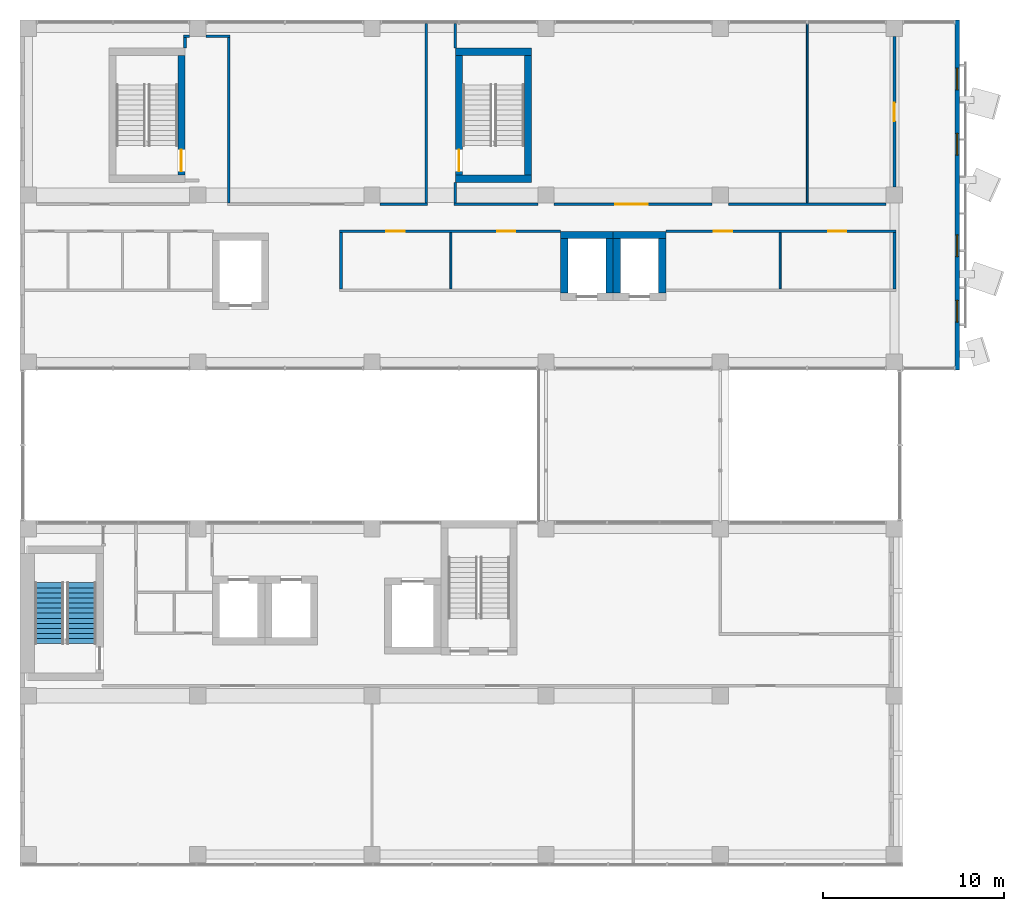
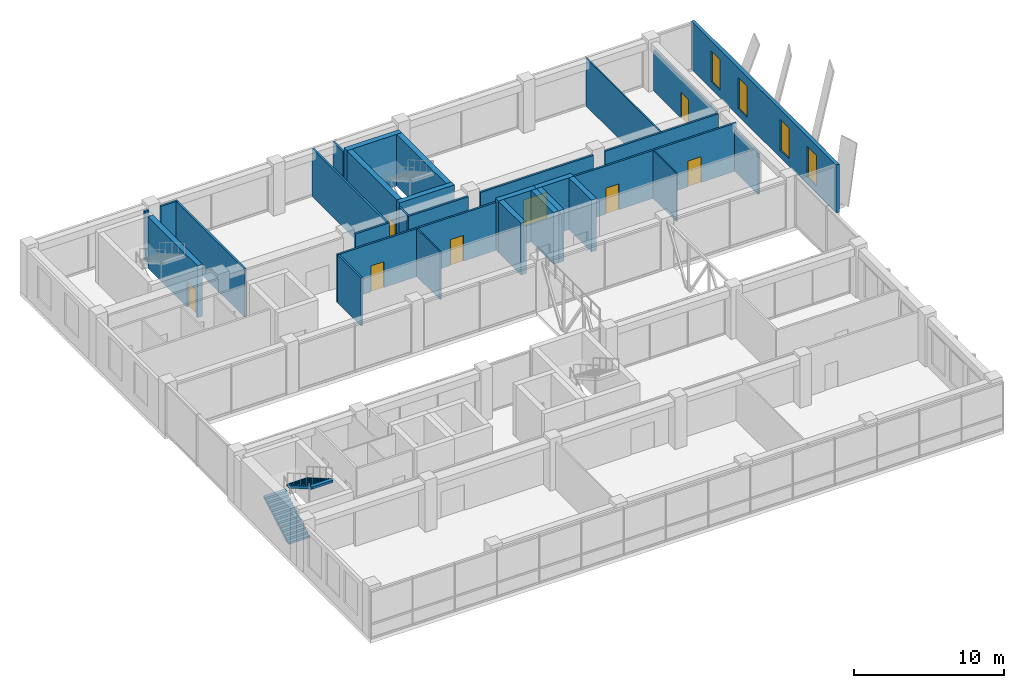
# One storey, part 31 of 38: 31 walls, 8 doors, 4 windows, 2 stair flights, 12 openings, 1 element without a shape of its own.
"""IFC4 building model written with IfcOpenShell, lengths in metres."""

from ifc_helpers import new_model, si_unit, direction, frame, frame_2d, origin, place, context, subcontext, project, spatial, polyline, rectangle, outline, extrude, material, layer, layer_set, layer_usage, type_object, element, fill, aggregate, save


model = new_model("IFC4")

# Units and contexts
model_context = context("Model", 3, precision=1e-05, world=origin(), true_north=direction((0.0, 1.0)))
body_context = subcontext(model_context, "Body", "Model", "MODEL_VIEW")
ifc_project = project(units=[si_unit("LENGTHUNIT", "METRE"), si_unit("AREAUNIT", "SQUARE_METRE"), si_unit("VOLUMEUNIT", "CUBIC_METRE"), si_unit("PLANEANGLEUNIT", "RADIAN"), si_unit("MASSUNIT", "GRAM", prefix="KILO")], contexts=[model_context])

# Site, building, storey
site_placement = place(None, origin())
site = spatial("IfcSite", under=ifc_project, at=site_placement, CompositionType="ELEMENT")
building_placement = place(site_placement, origin())
building = spatial("IfcBuilding", under=site, at=building_placement, Name="Nzadi Deep Aquarium and Research Tower", CompositionType="ELEMENT")
storey_placement = place(building_placement, frame((0.0, 0.0, 65.5)))
storey = spatial("IfcBuildingStorey", under=building, at=storey_placement, Name="L13", CompositionType="ELEMENT", Elevation=65.5)

# Wall, openings, windows
ifc_material_1 = material(Name="Graphite aluminium shingle", Category="aluminium")
ifc_layer_1 = layer(ifc_material_1, 0.050048828125, Category="cladding")
ifc_material_2 = material(Name="Concrete C35/45", Category="concrete")
ifc_layer_2 = layer(ifc_material_2, 0.10009765625, Category="cladding")
ifc_material_3 = material(Name="Mineral wool insulation")
ifc_layer_3 = layer(ifc_material_3, 0.070068359375, Category="insulation")
ifc_material_4 = material(Name="Gypsum board lining")
ifc_layer_4 = layer(ifc_material_4, 0.030029296875, Category="lining")
ifc_layer_set_1 = layer_set([ifc_layer_1, ifc_layer_2, ifc_layer_3, ifc_layer_4], Name="Graphite aluminium shingle, Concrete C35/45, Mineral wool insulation, Gypsum board lining")
ifc_layer_usage = layer_usage(ifc_layer_set_1, "AXIS2", "POSITIVE", -0.125)
wall_type_1 = type_object("IfcWallType", Name="End wall shingle over board-formed concrete 250", PredefinedType="ELEMENTEDWALL", material=ifc_layer_set_1)
wall_1_placement = place(storey_placement, frame((51.47509765625, 27.14990234375, 0.0), z_axis=(0.0, 0.0, 1.0), x_axis=(0.0, 1.0, 0.0)))
wall_1 = element("IfcWall", 1, at=wall_1_placement, inside=storey, type_object=wall_type_1, material=ifc_layer_usage, Name="End wall blade B east L13", PredefinedType="ELEMENTEDWALL", context=body_context, shape_type="SweptSolid", body=[
    extrude(rectangle(XDim=19.300048828125, YDim=0.25, at=frame_2d((9.64990234375, 0.0))), origin(), (0.0, 0.0, 1.0), 3.89990234375),
])
opening_1_placement = place(wall_1_placement, frame((2.64990234375, 0.0, 0.60009765625)))
opening_1 = element("IfcOpeningElement", 2, at=opening_1_placement, cuts=wall_1, Name="Opening WN08", PredefinedType="OPENING", context=body_context, shape_type="SweptSolid", body=[
    extrude(rectangle(XDim=1.199951171875, YDim=2.5, at=frame_2d((0.60009765625, 1.25))), frame((0.0, 0.135009765625, 0.0), z_axis=(0.0, -1.0, 0.0), x_axis=(1.0, 0.0, 0.0)), (0.0, 0.0, 1.0), 0.27001953125),
])
opening_2_placement = place(wall_1_placement, frame((6.25, 0.0, 0.60009765625)))
opening_2 = element("IfcOpeningElement", 3, at=opening_2_placement, cuts=wall_1, Name="Opening WN08", PredefinedType="OPENING", context=body_context, shape_type="SweptSolid", body=[
    extrude(rectangle(XDim=1.199951171875, YDim=2.5, at=frame_2d((0.60009765625, 1.25))), frame((0.0, 0.135009765625, 0.0), z_axis=(0.0, -1.0, 0.0), x_axis=(1.0, 0.0, 0.0)), (0.0, 0.0, 1.0), 0.27001953125),
])
opening_3_placement = place(wall_1_placement, frame((11.85009765625, 0.0, 0.60009765625)))
opening_3 = element("IfcOpeningElement", 4, at=opening_3_placement, cuts=wall_1, Name="Opening WN08", PredefinedType="OPENING", context=body_context, shape_type="SweptSolid", body=[
    extrude(rectangle(XDim=1.199951171875, YDim=2.5, at=frame_2d((0.60009765625, 1.25))), frame((0.0, 0.135009765625, 0.0), z_axis=(0.0, -1.0, 0.0), x_axis=(1.0, 0.0, 0.0)), (0.0, 0.0, 1.0), 0.27001953125),
])
opening_4_placement = place(wall_1_placement, frame((15.449951171875, 0.0, 0.60009765625)))
opening_4 = element("IfcOpeningElement", 5, at=opening_4_placement, cuts=wall_1, Name="Opening WN08", PredefinedType="OPENING", context=body_context, shape_type="SweptSolid", body=[
    extrude(rectangle(XDim=1.199951171875, YDim=2.5, at=frame_2d((0.60009765625, 1.25))), frame((0.0, 0.135009765625, 0.0), z_axis=(0.0, -1.0, 0.0), x_axis=(1.0, 0.0, 0.0)), (0.0, 0.0, 1.0), 0.27001953125),
])
ifc_material_5 = material(Name="Aluminium window, sage tint glazing", Category="aluminium")
window_type = type_object("IfcWindowType", Name="Slot window 1200x2500 sill 600", PartitioningType="SINGLE_PANEL", PredefinedType="WINDOW", material=ifc_material_5)
window_1_placement = place(opening_1_placement, origin())
window_1 = element("IfcWindow", 6, at=window_1_placement, inside=storey, type_object=window_type, Name="Slot window L13 BE", OverallHeight=2.5, OverallWidth=1.199951171875, PartitioningType="SINGLE_PANEL", PredefinedType="WINDOW", context=body_context, shape_type="SweptSolid", body=[
    extrude(rectangle(XDim=1.199951171875, YDim=2.5, at=frame_2d((0.60009765625, 1.25))), frame((0.0, 0.030029296875, 0.0), z_axis=(0.0, -1.0, 0.0), x_axis=(1.0, 0.0, 0.0)), (0.0, 0.0, 1.0), 0.06005859375),
])
fill(opening_1, window_1)
window_2_placement = place(opening_2_placement, origin())
window_2 = element("IfcWindow", 7, at=window_2_placement, inside=storey, type_object=window_type, Name="Slot window L13 BE", OverallHeight=2.5, OverallWidth=1.199951171875, PartitioningType="SINGLE_PANEL", PredefinedType="WINDOW", context=body_context, shape_type="SweptSolid", body=[
    extrude(rectangle(XDim=1.199951171875, YDim=2.5, at=frame_2d((0.60009765625, 1.25))), frame((0.0, 0.030029296875, 0.0), z_axis=(0.0, -1.0, 0.0), x_axis=(1.0, 0.0, 0.0)), (0.0, 0.0, 1.0), 0.06005859375),
])
fill(opening_2, window_2)
window_3_placement = place(opening_3_placement, origin())
window_3 = element("IfcWindow", 8, at=window_3_placement, inside=storey, type_object=window_type, Name="Slot window L13 BE", OverallHeight=2.5, OverallWidth=1.199951171875, PartitioningType="SINGLE_PANEL", PredefinedType="WINDOW", context=body_context, shape_type="SweptSolid", body=[
    extrude(rectangle(XDim=1.199951171875, YDim=2.5, at=frame_2d((0.60009765625, 1.25))), frame((0.0, 0.030029296875, 0.0), z_axis=(0.0, -1.0, 0.0), x_axis=(1.0, 0.0, 0.0)), (0.0, 0.0, 1.0), 0.06005859375),
])
fill(opening_3, window_3)
window_4_placement = place(opening_4_placement, origin())
window_4 = element("IfcWindow", 9, at=window_4_placement, inside=storey, type_object=window_type, Name="Slot window L13 BE", OverallHeight=2.5, OverallWidth=1.199951171875, PartitioningType="SINGLE_PANEL", PredefinedType="WINDOW", context=body_context, shape_type="SweptSolid", body=[
    extrude(rectangle(XDim=1.199951171875, YDim=2.5, at=frame_2d((0.60009765625, 1.25))), frame((0.0, 0.030029296875, 0.0), z_axis=(0.0, -1.0, 0.0), x_axis=(1.0, 0.0, 0.0)), (0.0, 0.0, 1.0), 0.06005859375),
])
fill(opening_4, window_4)

# Walls
ifc_material_6 = material(Name="Blockwork masonry", Category="masonry")
ifc_layer_5 = layer(ifc_material_6, 0.10009765625)
ifc_layer_set_2 = layer_set([ifc_layer_5], Name="Blockwork masonry")
wall_type_2 = type_object("IfcWallType", Name="Partition 100 EI 30", PredefinedType="PARTITIONING", material=ifc_layer_set_2)
for number, where, z_axis, x_axis, name in (
    (10, (23.550048828125, 31.625, 0.0), (0.0, 0.0, 1.0), (0.0, 1.0, 0.0), "W-Z1-L13-P027"),
    (11, (41.699951171875, 31.625, 0.0), (0.0, 0.0, 1.0), (0.0, 1.0, 0.0), "W-Z1-L13-P038"),
):
    element("IfcWall", number, at=place(storey_placement, frame(where, z_axis=z_axis, x_axis=x_axis)), inside=storey, type_object=wall_type_2, Name=name, PredefinedType="PARTITIONING", context=body_context, shape_type="SweptSolid", body=[
        extrude(rectangle(XDim=3.10009765625, YDim=0.10009765625, at=frame_2d((1.550048828125, 0.0))), origin(), (0.0, 0.0, 1.0), 3.89990234375),
    ])
wall_2_placement = place(storey_placement, frame((43.199951171875, 36.375, 0.0), z_axis=(0.0, 0.0, 1.0), x_axis=(0.0, 1.0, 0.0)))
element("IfcWall", 12, at=wall_2_placement, inside=storey, type_object=wall_type_2, Name="W-Z1-L13-P039", PredefinedType="PARTITIONING", context=body_context, shape_type="SweptSolid", body=[
    extrude(rectangle(XDim=9.868896484375, YDim=0.10009765625, at=frame_2d((4.9345703125, 0.0))), origin(), (0.0, 0.0, 1.0), 3.89990234375),
])
ifc_material_7 = material(Name="Blockwork masonry", Category="masonry")
ifc_layer_6 = layer(ifc_material_7, 0.14990234375)
ifc_layer_set_3 = layer_set([ifc_layer_6], Name="Blockwork masonry")
wall_type_3 = type_object("IfcWallType", Name="Partition 150 EI 60", PredefinedType="PARTITIONING", material=ifc_layer_set_3)
wall_3_placement = place(storey_placement, frame((8.89990234375, 44.906005859375, 0.0), z_axis=(0.0, 0.0, 1.0), x_axis=(0.0, 1.0, 0.0)))
element("IfcWall", 13, at=wall_3_placement, inside=storey, type_object=wall_type_3, Name="W-Z1-L13-P013", PredefinedType="PARTITIONING", context=body_context, shape_type="SweptSolid", body=[
    extrude(rectangle(XDim=0.569091796875, YDim=0.14990234375, at=frame_2d((0.28466796875, 0.0))), origin(), (0.0, 0.0, 1.0), 3.89990234375),
])
wall_4_placement = place(storey_placement, frame((8.824951171875, 45.550048828125, 0.0), z_axis=(0.0, 0.0, 1.0), x_axis=(1.0, 0.0, 0.0)))
element("IfcWall", 14, at=wall_4_placement, inside=storey, type_object=wall_type_3, Name="W-Z1-L13-P014", PredefinedType="PARTITIONING", context=body_context, shape_type="SweptSolid", body=[
    extrude(rectangle(XDim=0.324951171875, YDim=0.14990234375, at=frame_2d((0.16259765625, 0.0))), origin(), (0.0, 0.0, 1.0), 3.89990234375),
])
wall_5_placement = place(storey_placement, frame((10.050048828125, 45.550048828125, 0.0), z_axis=(0.0, 0.0, 1.0), x_axis=(1.0, 0.0, 0.0)))
element("IfcWall", 15, at=wall_5_placement, inside=storey, type_object=wall_type_3, Name="W-Z1-L13-P017", PredefinedType="PARTITIONING", context=body_context, shape_type="SweptSolid", body=[
    extrude(rectangle(XDim=1.324951171875, YDim=0.14990234375, at=frame_2d((0.66259765625, 0.0))), origin(), (0.0, 0.0, 1.0), 3.89990234375),
])
wall_6_placement = place(storey_placement, frame((11.300048828125, 36.375, 0.0), z_axis=(0.0, 0.0, 1.0), x_axis=(0.0, 1.0, 0.0)))
element("IfcWall", 16, at=wall_6_placement, inside=storey, type_object=wall_type_3, Name="W-Z1-L13-P020", PredefinedType="PARTITIONING", context=body_context, shape_type="SweptSolid", body=[
    extrude(rectangle(XDim=9.10009765625, YDim=0.14990234375, at=frame_2d((4.550048828125, 0.0))), origin(), (0.0, 0.0, 1.0), 3.89990234375),
])
wall_7_placement = place(storey_placement, frame((17.5, 31.625, 0.0), z_axis=(0.0, 0.0, 1.0), x_axis=(0.0, 1.0, 0.0)))
element("IfcWall", 17, at=wall_7_placement, inside=storey, type_object=wall_type_3, Name="W-Z1-L13-P022", PredefinedType="PARTITIONING", context=body_context, shape_type="SweptSolid", body=[
    extrude(rectangle(XDim=3.10009765625, YDim=0.14990234375, at=frame_2d((1.550048828125, 0.0))), origin(), (0.0, 0.0, 1.0), 3.89990234375),
])

# Wall, openings, doors
wall_8_placement = place(storey_placement, frame((17.425048828125, 34.800048828125, 0.0), z_axis=(0.0, 0.0, 1.0), x_axis=(1.0, 0.0, 0.0)))
wall_8 = element("IfcWall", 18, at=wall_8_placement, inside=storey, type_object=wall_type_3, Name="W-Z1-L13-P023", PredefinedType="PARTITIONING", context=body_context, shape_type="SweptSolid", body=[
    extrude(rectangle(XDim=12.1689453125, YDim=0.14990234375, at=frame_2d((6.08447265625, 0.0))), origin(), (0.0, 0.0, 1.0), 3.89990234375),
])
opening_5_placement = place(wall_8_placement, frame((2.574951171875, 0.0, 0.0)))
opening_5 = element("IfcOpeningElement", 19, at=opening_5_placement, cuts=wall_8, Name="Opening D141014", PredefinedType="OPENING", context=body_context, shape_type="SweptSolid", body=[
    extrude(rectangle(XDim=1.0, YDim=2.10009765625, at=frame_2d((0.5, 1.050048828125))), frame((0.0, 0.0849609375, 0.0), z_axis=(0.0, -1.0, 0.0), x_axis=(1.0, 0.0, 0.0)), (0.0, 0.0, 1.0), 0.169921875),
])
opening_6_placement = place(wall_8_placement, frame((8.675048828125, 0.0, 0.0)))
opening_6 = element("IfcOpeningElement", 20, at=opening_6_placement, cuts=wall_8, Name="Opening D141015", PredefinedType="OPENING", context=body_context, shape_type="SweptSolid", body=[
    extrude(rectangle(XDim=1.0, YDim=2.10009765625, at=frame_2d((0.5, 1.050048828125))), frame((0.0, 0.0849609375, 0.0), z_axis=(0.0, -1.0, 0.0), x_axis=(1.0, 0.0, 0.0)), (0.0, 0.0, 1.0), 0.169921875),
])
ifc_material_8 = material(Name="Fire-rated steel door", Category="steel")
ifc_layer_7 = layer(ifc_material_8, 0.050048828125)
ifc_layer_set_4 = layer_set([ifc_layer_7], Name="Fire-rated steel door")
door_type_1 = type_object("IfcDoorType", Name="Door 1000x2100 EI 60 single", OperationType="SINGLE_SWING_LEFT", PredefinedType="DOOR", material=ifc_layer_set_4)
door_1_placement = place(opening_5_placement, origin())
door_1 = element("IfcDoor", 21, at=door_1_placement, inside=storey, type_object=door_type_1, Name="D141014", OperationType="SINGLE_SWING_LEFT", OverallHeight=2.10009765625, OverallWidth=1.0, PredefinedType="DOOR", context=body_context, shape_type="SweptSolid", body=[
    extrude(rectangle(XDim=1.0, YDim=2.10009765625, at=frame_2d((0.5, 1.050048828125))), frame((0.0, 0.02490234375, 0.0), z_axis=(0.0, -1.0, 0.0), x_axis=(1.0, 0.0, 0.0)), (0.0, 0.0, 1.0), 0.050048828125),
])
fill(opening_5, door_1)
door_2_placement = place(opening_6_placement, origin())
door_2 = element("IfcDoor", 22, at=door_2_placement, inside=storey, type_object=door_type_1, Name="D141015", OperationType="SINGLE_SWING_LEFT", OverallHeight=2.10009765625, OverallWidth=1.0, PredefinedType="DOOR", context=body_context, shape_type="SweptSolid", body=[
    extrude(rectangle(XDim=1.0, YDim=2.10009765625, at=frame_2d((0.5, 1.050048828125))), frame((0.0, 0.02490234375, 0.0), z_axis=(0.0, -1.0, 0.0), x_axis=(1.0, 0.0, 0.0)), (0.0, 0.0, 1.0), 0.050048828125),
])
fill(opening_6, door_2)

# Walls
wall_9_placement = place(storey_placement, frame((19.64990234375, 36.300048828125, 0.0), z_axis=(0.0, 0.0, 1.0), x_axis=(1.0, 0.0, 0.0)))
element("IfcWall", 23, at=wall_9_placement, inside=storey, type_object=wall_type_3, Name="W-Z1-L13-P025", PredefinedType="PARTITIONING", context=body_context, shape_type="SweptSolid", body=[
    extrude(rectangle(XDim=2.625, YDim=0.14990234375, at=frame_2d((1.3125, 0.0))), origin(), (0.0, 0.0, 1.0), 3.89990234375),
])
wall_10_placement = place(storey_placement, frame((22.199951171875, 36.375, 0.0), z_axis=(0.0, 0.0, 1.0), x_axis=(0.0, 1.0, 0.0)))
element("IfcWall", 24, at=wall_10_placement, inside=storey, type_object=wall_type_3, Name="W-Z1-L13-P026", PredefinedType="PARTITIONING", context=body_context, shape_type="SweptSolid", body=[
    extrude(rectangle(XDim=9.868896484375, YDim=0.14990234375, at=frame_2d((4.9345703125, 0.0))), origin(), (0.0, 0.0, 1.0), 3.89990234375),
])
wall_11_placement = place(storey_placement, frame((23.72509765625, 36.300048828125, 0.0), z_axis=(0.0, 0.0, 1.0), x_axis=(1.0, 0.0, 0.0)))
element("IfcWall", 25, at=wall_11_placement, inside=storey, type_object=wall_type_3, Name="W-Z1-L13-P028", PredefinedType="PARTITIONING", context=body_context, shape_type="SweptSolid", body=[
    extrude(rectangle(XDim=4.625, YDim=0.14990234375, at=frame_2d((2.3125, 0.0))), origin(), (0.0, 0.0, 1.0), 3.89990234375),
])
wall_12_placement = place(storey_placement, frame((23.800048828125, 36.375, 0.0), z_axis=(0.0, 0.0, 1.0), x_axis=(0.0, 1.0, 0.0)))
element("IfcWall", 26, at=wall_12_placement, inside=storey, type_object=wall_type_3, Name="W-Z1-L13-P029", PredefinedType="PARTITIONING", context=body_context, shape_type="SweptSolid", body=[
    extrude(rectangle(XDim=1.118896484375, YDim=0.14990234375, at=frame_2d((0.5595703125, 0.0))), origin(), (0.0, 0.0, 1.0), 3.89990234375),
])
wall_13_placement = place(storey_placement, frame((23.800048828125, 44.906005859375, 0.0), z_axis=(0.0, 0.0, 1.0), x_axis=(0.0, 1.0, 0.0)))
element("IfcWall", 27, at=wall_13_placement, inside=storey, type_object=wall_type_3, Name="W-Z1-L13-P030", PredefinedType="PARTITIONING", context=body_context, shape_type="SweptSolid", body=[
    extrude(rectangle(XDim=1.337890625, YDim=0.14990234375, at=frame_2d((0.6689453125, 0.0))), origin(), (0.0, 0.0, 1.0), 3.89990234375),
])

# Wall, opening, door
wall_14_placement = place(storey_placement, frame((29.25, 36.300048828125, 0.0), z_axis=(0.0, 0.0, 1.0), x_axis=(1.0, 0.0, 0.0)))
wall_14 = element("IfcWall", 28, at=wall_14_placement, inside=storey, type_object=wall_type_3, Name="W-Z1-L13-P031", PredefinedType="PARTITIONING", context=body_context, shape_type="SweptSolid", body=[
    extrude(rectangle(XDim=8.699951171875, YDim=0.14990234375, at=frame_2d((4.35009765625, 0.0))), origin(), (0.0, 0.0, 1.0), 3.89990234375),
])
opening_7_placement = place(wall_14_placement, frame((3.35009765625, 0.0, 0.0)))
opening_7 = element("IfcOpeningElement", 29, at=opening_7_placement, cuts=wall_14, Name="Opening D141020", PredefinedType="OPENING", context=body_context, shape_type="SweptSolid", body=[
    extrude(rectangle(XDim=1.800048828125, YDim=2.10009765625, at=frame_2d((0.89990234375, 1.050048828125))), frame((0.0, 0.0849609375, 0.0), z_axis=(0.0, -1.0, 0.0), x_axis=(1.0, 0.0, 0.0)), (0.0, 0.0, 1.0), 0.169921875),
])
ifc_material_9 = material(Name="Fire-rated steel door", Category="steel")
ifc_layer_8 = layer(ifc_material_9, 0.050048828125)
ifc_layer_set_5 = layer_set([ifc_layer_8], Name="Fire-rated steel door")
door_type_2 = type_object("IfcDoorType", Name="Door 1800x2100 EI 60 double", OperationType="DOUBLE_DOOR_SINGLE_SWING", PredefinedType="DOOR", material=ifc_layer_set_5)
door_3_placement = place(opening_7_placement, origin())
door_3 = element("IfcDoor", 30, at=door_3_placement, inside=storey, type_object=door_type_2, Name="D141020", OperationType="DOUBLE_DOOR_SINGLE_SWING", OverallHeight=2.10009765625, OverallWidth=1.800048828125, PredefinedType="DOOR", context=body_context, shape_type="SweptSolid", body=[
    extrude(rectangle(XDim=1.800048828125, YDim=2.10009765625, at=frame_2d((0.89990234375, 1.050048828125))), frame((0.0, 0.02490234375, 0.0), z_axis=(0.0, -1.0, 0.0), x_axis=(1.0, 0.0, 0.0)), (0.0, 0.0, 1.0), 0.050048828125),
])
fill(opening_7, door_3)

# Wall, openings, doors
wall_15_placement = place(storey_placement, frame((35.406005859375, 34.800048828125, 0.0), z_axis=(0.0, 0.0, 1.0), x_axis=(1.0, 0.0, 0.0)))
wall_15 = element("IfcWall", 31, at=wall_15_placement, inside=storey, type_object=wall_type_3, Name="W-Z1-L13-P034", PredefinedType="PARTITIONING", context=body_context, shape_type="SweptSolid", body=[
    extrude(rectangle(XDim=12.6689453125, YDim=0.14990234375, at=frame_2d((6.33447265625, 0.0))), origin(), (0.0, 0.0, 1.0), 3.89990234375),
])
opening_8_placement = place(wall_15_placement, frame((2.64404296875, 0.0, 0.0)))
opening_8 = element("IfcOpeningElement", 32, at=opening_8_placement, cuts=wall_15, Name="Opening D141016", PredefinedType="OPENING", context=body_context, shape_type="SweptSolid", body=[
    extrude(rectangle(XDim=1.0, YDim=2.10009765625, at=frame_2d((0.5, 1.050048828125))), frame((0.0, 0.0849609375, 0.0), z_axis=(0.0, -1.0, 0.0), x_axis=(1.0, 0.0, 0.0)), (0.0, 0.0, 1.0), 0.169921875),
])
opening_9_placement = place(wall_15_placement, frame((8.944091796875, 0.0, 0.0)))
opening_9 = element("IfcOpeningElement", 33, at=opening_9_placement, cuts=wall_15, Name="Opening D141017", PredefinedType="OPENING", context=body_context, shape_type="SweptSolid", body=[
    extrude(rectangle(XDim=1.0, YDim=2.10009765625, at=frame_2d((0.5, 1.050048828125))), frame((0.0, 0.0849609375, 0.0), z_axis=(0.0, -1.0, 0.0), x_axis=(1.0, 0.0, 0.0)), (0.0, 0.0, 1.0), 0.169921875),
])
door_4_placement = place(opening_8_placement, origin())
door_4 = element("IfcDoor", 34, at=door_4_placement, inside=storey, type_object=door_type_1, Name="D141016", OperationType="SINGLE_SWING_RIGHT", OverallHeight=2.10009765625, OverallWidth=1.0, PredefinedType="DOOR", context=body_context, shape_type="SweptSolid", body=[
    extrude(rectangle(XDim=1.0, YDim=2.10009765625, at=frame_2d((0.5, 1.050048828125))), frame((0.0, 0.02490234375, 0.0), z_axis=(0.0, -1.0, 0.0), x_axis=(1.0, 0.0, 0.0)), (0.0, 0.0, 1.0), 0.050048828125),
])
fill(opening_8, door_4)
door_5_placement = place(opening_9_placement, origin())
door_5 = element("IfcDoor", 35, at=door_5_placement, inside=storey, type_object=door_type_1, Name="D141017", OperationType="SINGLE_SWING_RIGHT", OverallHeight=2.10009765625, OverallWidth=1.0, PredefinedType="DOOR", context=body_context, shape_type="SweptSolid", body=[
    extrude(rectangle(XDim=1.0, YDim=2.10009765625, at=frame_2d((0.5, 1.050048828125))), frame((0.0, 0.02490234375, 0.0), z_axis=(0.0, -1.0, 0.0), x_axis=(1.0, 0.0, 0.0)), (0.0, 0.0, 1.0), 0.050048828125),
])
fill(opening_9, door_5)

# Walls
wall_16_placement = place(storey_placement, frame((38.85009765625, 36.300048828125, 0.0), z_axis=(0.0, 0.0, 1.0), x_axis=(1.0, 0.0, 0.0)))
element("IfcWall", 36, at=wall_16_placement, inside=storey, type_object=wall_type_3, Name="W-Z1-L13-P037", PredefinedType="PARTITIONING", context=body_context, shape_type="SweptSolid", body=[
    extrude(rectangle(XDim=8.699951171875, YDim=0.14990234375, at=frame_2d((4.35009765625, 0.0))), origin(), (0.0, 0.0, 1.0), 3.89990234375),
])
ifc_material_10 = material(Name="Blockwork masonry", Category="masonry")
ifc_layer_9 = layer(ifc_material_10, 0.14990234375)
ifc_layer_set_6 = layer_set([ifc_layer_9], Name="Blockwork masonry")
wall_type_4 = type_object("IfcWallType", Name="Partition 150 EI 60, 3.30 m high", PredefinedType="PARTITIONING", material=ifc_layer_set_6)
wall_17_placement = place(storey_placement, frame((48.0, 31.625, 0.0), z_axis=(0.0, 0.0, 1.0), x_axis=(0.0, 1.0, 0.0)))
element("IfcWall", 37, at=wall_17_placement, inside=storey, type_object=wall_type_4, Name="W-Z1-L13-P040", PredefinedType="PARTITIONING", context=body_context, shape_type="SweptSolid", body=[
    extrude(rectangle(XDim=3.10009765625, YDim=0.14990234375, at=frame_2d((1.550048828125, 0.0))), origin(), (0.0, 0.0, 1.0), 3.300048828125),
])

# Wall, opening, door
wall_18_placement = place(storey_placement, frame((48.0, 37.25, 0.0), z_axis=(0.0, 0.0, 1.0), x_axis=(0.0, 1.0, 0.0)))
wall_18 = element("IfcWall", 38, at=wall_18_placement, inside=storey, type_object=wall_type_4, Name="W-Z1-L13-P041", PredefinedType="PARTITIONING", context=body_context, shape_type="SweptSolid", body=[
    extrude(rectangle(XDim=8.300048828125, YDim=0.14990234375, at=frame_2d((4.14990234375, 0.0))), origin(), (0.0, 0.0, 1.0), 3.300048828125),
])
opening_10_placement = place(wall_18_placement, frame((3.6298828125, 0.0, 0.0)))
opening_10 = element("IfcOpeningElement", 39, at=opening_10_placement, cuts=wall_18, Name="Opening D141021", PredefinedType="OPENING", context=body_context, shape_type="SweptSolid", body=[
    extrude(rectangle(XDim=1.0, YDim=2.10009765625, at=frame_2d((0.5, 1.050048828125))), frame((0.0, 0.0849609375, 0.0), z_axis=(0.0, -1.0, 0.0), x_axis=(1.0, 0.0, 0.0)), (0.0, 0.0, 1.0), 0.169921875),
])
door_6_placement = place(opening_10_placement, origin())
door_6 = element("IfcDoor", 40, at=door_6_placement, inside=storey, type_object=door_type_1, Name="D141021", OperationType="SINGLE_SWING_LEFT", OverallHeight=2.10009765625, OverallWidth=1.0, PredefinedType="DOOR", context=body_context, shape_type="SweptSolid", body=[
    extrude(rectangle(XDim=1.0, YDim=2.10009765625, at=frame_2d((0.5, 1.050048828125))), frame((0.0, 0.02490234375, 0.0), z_axis=(0.0, -1.0, 0.0), x_axis=(1.0, 0.0, 0.0)), (0.0, 0.0, 1.0), 0.050048828125),
])
fill(opening_10, door_6)

ifc_material_11 = material(Name="Concrete C35/45", Category="concrete")
ifc_layer_10 = layer(ifc_material_11, 0.39990234375)
ifc_layer_set_7 = layer_set([ifc_layer_10], Name="Concrete C35/45")
wall_type_5 = type_object("IfcWallType", Name="RC core wall 400", PredefinedType="SHEAR", material=ifc_layer_set_7)
wall_19_placement = place(storey_placement, frame((8.699951171875, 37.89990234375, 0.0), z_axis=(0.0, 0.0, 1.0), x_axis=(0.0, 1.0, 0.0)))
wall_19 = element("IfcWall", 41, at=wall_19_placement, inside=storey, type_object=wall_type_5, Name="W-CORE-ST-Z1-NW-L13-E", PredefinedType="SHEAR", context=body_context, shape_type="SweptSolid", body=[
    extrude(rectangle(XDim=6.60009765625, YDim=0.39990234375, at=frame_2d((3.300048828125, 0.0))), origin(), (0.0, 0.0, 1.0), 4.199951171875),
])
opening_11_placement = place(wall_19_placement, frame((0.2099609375, 0.0, 0.0)))
opening_11 = element("IfcOpeningElement", 42, at=opening_11_placement, cuts=wall_19, Name="Opening DS-Z1-NW-L13", PredefinedType="OPENING", context=body_context, shape_type="SweptSolid", body=[
    extrude(rectangle(XDim=1.199951171875, YDim=2.10009765625, at=frame_2d((0.60009765625, 1.050048828125))), frame((0.0, 0.2099609375, 0.0), z_axis=(0.0, -1.0, 0.0), x_axis=(1.0, 0.0, 0.0)), (0.0, 0.0, 1.0), 0.419921875),
])
ifc_material_12 = material(Name="Steel, powder coated", Category="steel")
door_type_3 = type_object("IfcDoorType", Name="STAIR DOOR 1200x2100 EI 60", OperationType="SINGLE_SWING_LEFT", PredefinedType="DOOR", material=ifc_material_12)
door_7_placement = place(opening_11_placement, origin())
door_7 = element("IfcDoor", 43, at=door_7_placement, inside=storey, type_object=door_type_3, Name="Stair door ST-Z1-NW L13", OperationType="SINGLE_SWING_RIGHT", OverallHeight=2.10009765625, OverallWidth=1.199951171875, PredefinedType="DOOR", context=body_context, shape_type="SweptSolid", body=[
    extrude(rectangle(XDim=1.199951171875, YDim=2.10009765625, at=frame_2d((0.60009765625, 1.050048828125))), frame((0.0, 0.02490234375, 0.0), z_axis=(0.0, -1.0, 0.0), x_axis=(1.0, 0.0, 0.0)), (0.0, 0.0, 1.0), 0.050048828125),
])
fill(opening_11, door_7)

# Walls
for number, where, z_axis, x_axis, name in (
    (44, (23.800048828125, 37.699951171875, 0.0), (0.0, 0.0, 1.0), (1.0, 0.0, 0.0), "W-CORE-ST-Z1-NE-L13-S"),
    (45, (23.800048828125, 44.699951171875, 0.0), (0.0, 0.0, 1.0), (1.0, 0.0, 0.0), "W-CORE-ST-Z1-NE-L13-N"),
):
    element("IfcWall", number, at=place(storey_placement, frame(where, z_axis=z_axis, x_axis=x_axis)), inside=storey, type_object=wall_type_5, Name=name, PredefinedType="SHEAR", context=body_context, shape_type="SweptSolid", body=[
        extrude(rectangle(XDim=4.199951171875, YDim=0.39990234375, at=frame_2d((2.10009765625, 0.0))), origin(), (0.0, 0.0, 1.0), 4.199951171875),
    ])

# Wall, opening, door
wall_20_placement = place(storey_placement, frame((24.0, 37.89990234375, 0.0), z_axis=(0.0, 0.0, 1.0), x_axis=(0.0, 1.0, 0.0)))
wall_20 = element("IfcWall", 46, at=wall_20_placement, inside=storey, type_object=wall_type_5, Name="W-CORE-ST-Z1-NE-L13-W", PredefinedType="SHEAR", context=body_context, shape_type="SweptSolid", body=[
    extrude(rectangle(XDim=6.60009765625, YDim=0.39990234375, at=frame_2d((3.300048828125, 0.0))), origin(), (0.0, 0.0, 1.0), 4.199951171875),
])
opening_12_placement = place(wall_20_placement, frame((0.2099609375, 0.0, 0.0)))
opening_12 = element("IfcOpeningElement", 47, at=opening_12_placement, cuts=wall_20, Name="Opening DS-Z1-NE-L13", PredefinedType="OPENING", context=body_context, shape_type="SweptSolid", body=[
    extrude(rectangle(XDim=1.199951171875, YDim=2.10009765625, at=frame_2d((0.60009765625, 1.050048828125))), frame((0.0, 0.2099609375, 0.0), z_axis=(0.0, -1.0, 0.0), x_axis=(1.0, 0.0, 0.0)), (0.0, 0.0, 1.0), 0.419921875),
])
door_8_placement = place(opening_12_placement, origin())
door_8 = element("IfcDoor", 48, at=door_8_placement, inside=storey, type_object=door_type_3, Name="Stair door ST-Z1-NE L13", OperationType="SINGLE_SWING_LEFT", OverallHeight=2.10009765625, OverallWidth=1.199951171875, PredefinedType="DOOR", context=body_context, shape_type="SweptSolid", body=[
    extrude(rectangle(XDim=1.199951171875, YDim=2.10009765625, at=frame_2d((0.60009765625, 1.050048828125))), frame((0.0, 0.02490234375, 0.0), z_axis=(0.0, -1.0, 0.0), x_axis=(1.0, 0.0, 0.0)), (0.0, 0.0, 1.0), 0.050048828125),
])
fill(opening_12, door_8)

# Walls
wall_21_placement = place(storey_placement, frame((27.800048828125, 37.89990234375, 0.0), z_axis=(0.0, 0.0, 1.0), x_axis=(0.0, 1.0, 0.0)))
element("IfcWall", 49, at=wall_21_placement, inside=storey, type_object=wall_type_5, Name="W-CORE-ST-Z1-NE-L13-E", PredefinedType="SHEAR", context=body_context, shape_type="SweptSolid", body=[
    extrude(rectangle(XDim=6.60009765625, YDim=0.39990234375, at=frame_2d((3.300048828125, 0.0))), origin(), (0.0, 0.0, 1.0), 4.199951171875),
])
wall_22_placement = place(storey_placement, frame((29.60009765625, 34.60009765625, 0.0), z_axis=(0.0, 0.0, 1.0), x_axis=(1.0, 0.0, 0.0)))
element("IfcWall", 50, at=wall_22_placement, inside=storey, type_object=wall_type_5, Name="W-CORE-TL3-L13-N", PredefinedType="SHEAR", context=body_context, shape_type="SweptSolid", body=[
    extrude(rectangle(XDim=2.89990234375, YDim=0.39990234375, at=frame_2d((1.449951171875, 0.0))), origin(), (0.0, 0.0, 1.0), 4.199951171875),
])
for number, where, z_axis, x_axis, name in (
    (51, (29.800048828125, 31.39990234375, 0.0), (0.0, 0.0, 1.0), (0.0, 1.0, 0.0), "W-CORE-TL3-L13-W"),
    (52, (32.300048828125, 31.39990234375, 0.0), (0.0, 0.0, 1.0), (0.0, 1.0, 0.0), "W-CORE-TL3-L13-E"),
):
    element("IfcWall", number, at=place(storey_placement, frame(where, z_axis=z_axis, x_axis=x_axis)), inside=storey, type_object=wall_type_5, Name=name, PredefinedType="SHEAR", context=body_context, shape_type="SweptSolid", body=[
        extrude(rectangle(XDim=3.0, YDim=0.39990234375, at=frame_2d((1.5, 0.0))), origin(), (0.0, 0.0, 1.0), 4.199951171875),
    ])
wall_23_placement = place(storey_placement, frame((32.5, 34.60009765625, 0.0), z_axis=(0.0, 0.0, 1.0), x_axis=(1.0, 0.0, 0.0)))
element("IfcWall", 53, at=wall_23_placement, inside=storey, type_object=wall_type_5, Name="W-CORE-TL4-L13-N", PredefinedType="SHEAR", context=body_context, shape_type="SweptSolid", body=[
    extrude(rectangle(XDim=2.89990234375, YDim=0.39990234375, at=frame_2d((1.449951171875, 0.0))), origin(), (0.0, 0.0, 1.0), 4.199951171875),
])
for number, where, z_axis, x_axis, name in (
    (54, (32.699951171875, 31.39990234375, 0.0), (0.0, 0.0, 1.0), (0.0, 1.0, 0.0), "W-CORE-TL4-L13-W"),
    (55, (35.199951171875, 31.39990234375, 0.0), (0.0, 0.0, 1.0), (0.0, 1.0, 0.0), "W-CORE-TL4-L13-E"),
):
    element("IfcWall", number, at=place(storey_placement, frame(where, z_axis=z_axis, x_axis=x_axis)), inside=storey, type_object=wall_type_5, Name=name, PredefinedType="SHEAR", context=body_context, shape_type="SweptSolid", body=[
        extrude(rectangle(XDim=3.0, YDim=0.39990234375, at=frame_2d((1.5, 0.0))), origin(), (0.0, 0.0, 1.0), 4.199951171875),
    ])

# Stair, stair flights
ifc_material_13 = material(Name="Concrete C35/45", Category="concrete")
stair_type = type_object("IfcStairType", Name="STAIR RETURN 3000", PredefinedType="NOTDEFINED", material=ifc_material_13)
stair_placement = place(storey_placement, origin())
stair = element("IfcStair", 56, at=stair_placement, inside=storey, type_object=stair_type, Name="Stair ST-Z1-SW L13", PredefinedType="HALF_TURN_STAIR")
ifc_material_14 = material(Name="Concrete C35/45", Category="concrete")
stair_flight_type = type_object("IfcStairFlightType", Name="FLIGHT 1625 13 RISERS 161.5 GOING 280", PredefinedType="STRAIGHT", material=ifc_material_14)
stair_flight_1_placement = place(storey_placement, frame((1.41259765625, 12.070068359375, 0.0), z_axis=(0.0, 0.0, 1.0), x_axis=(0.0, 1.0, 0.0)))
stair_flight_1 = element("IfcStairFlight", 57, at=stair_flight_1_placement, type_object=stair_flight_type, Name="ST-Z1-SW flight 1", NumberOfRisers=13, NumberOfTreads=12, PredefinedType="STRAIGHT", RiserHeight=0.161538462, TreadLength=0.28, context=body_context, shape_type="SweptSolid", body=[
    extrude(outline(polyline([(0.0, 0.0), (0.0, 0.16162109375), (0.280029296875, 0.16162109375), (0.280029296875, 0.322998046875), (0.56005859375, 0.322998046875), (0.56005859375, 0.484619140625), (0.840087890625, 0.484619140625), (0.840087890625, 0.646240234375), (1.1201171875, 0.646240234375), (1.1201171875, 0.8076171875), (1.39990234375, 0.8076171875), (1.39990234375, 0.96923828125), (1.679931640625, 0.96923828125), (1.679931640625, 1.130859375), (1.9599609375, 1.130859375), (1.9599609375, 1.292236328125), (2.239990234375, 1.292236328125), (2.239990234375, 1.453857421875), (2.52001953125, 1.453857421875), (2.52001953125, 1.615478515625), (2.800048828125, 1.615478515625), (2.800048828125, 1.77685546875), (3.080078125, 1.77685546875), (3.080078125, 1.9384765625), (3.360107421875, 1.9384765625), (3.360107421875, 2.10009765625), (3.360107421875, 1.765380859375), (0.300048828125, 0.0), (0.0, 0.0)])), frame((0.0, 0.8125, 0.0), z_axis=(0.0, -1.0, 0.0), x_axis=(1.0, 0.0, 0.0)), (0.0, 0.0, 1.0), 1.625),
])
stair_flight_2_placement = place(storey_placement, frame((3.1875, 15.429931640625, 2.10009765625), z_axis=(0.0, 0.0, 1.0), x_axis=(0.0, -1.0, 0.0)))
stair_flight_2 = element("IfcStairFlight", 58, at=stair_flight_2_placement, type_object=stair_flight_type, Name="ST-Z1-SW flight 2", NumberOfRisers=13, NumberOfTreads=12, PredefinedType="STRAIGHT", RiserHeight=0.161538462, TreadLength=0.28, context=body_context, shape_type="SweptSolid", body=[
    extrude(outline(polyline([(0.0, 0.0), (0.0, 0.16162109375), (0.280029296875, 0.16162109375), (0.280029296875, 0.322998046875), (0.56005859375, 0.322998046875), (0.56005859375, 0.484619140625), (0.840087890625, 0.484619140625), (0.840087890625, 0.646240234375), (1.1201171875, 0.646240234375), (1.1201171875, 0.8076171875), (1.39990234375, 0.8076171875), (1.39990234375, 0.96923828125), (1.679931640625, 0.96923828125), (1.679931640625, 1.130859375), (1.9599609375, 1.130859375), (1.9599609375, 1.292236328125), (2.239990234375, 1.292236328125), (2.239990234375, 1.453857421875), (2.52001953125, 1.453857421875), (2.52001953125, 1.615478515625), (2.800048828125, 1.615478515625), (2.800048828125, 1.77685546875), (3.080078125, 1.77685546875), (3.080078125, 1.9384765625), (3.360107421875, 1.9384765625), (3.360107421875, 2.10009765625), (3.360107421875, 1.765380859375), (0.300048828125, 0.0), (0.0, 0.0)])), frame((0.0, 0.8125, 0.0), z_axis=(0.0, -1.0, 0.0), x_axis=(1.0, 0.0, 0.0)), (0.0, 0.0, 1.0), 1.625),
])
aggregate(stair, [stair_flight_1, stair_flight_2])

save(model, "model.ifc")
